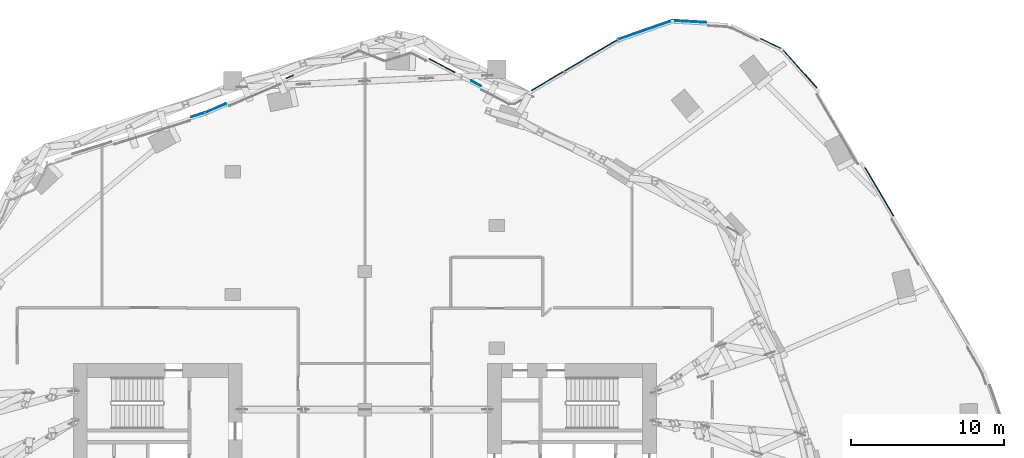
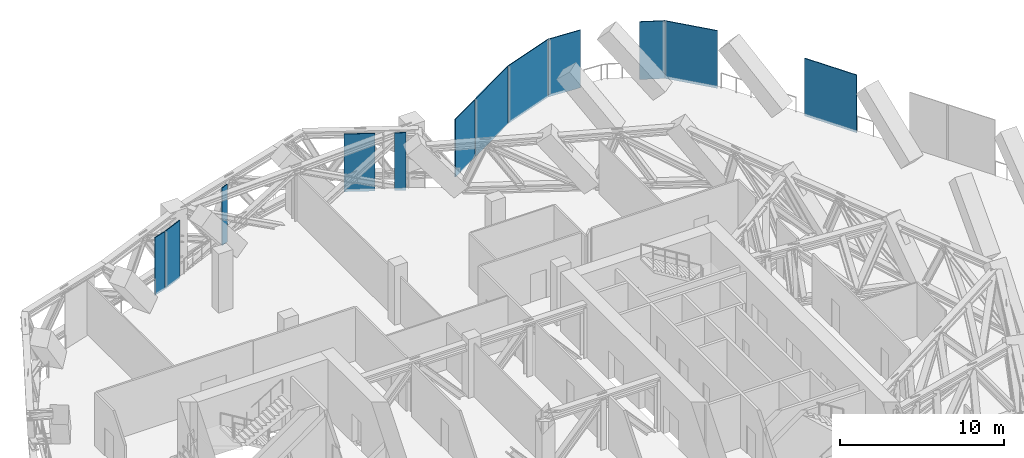
# One storey, part 21 of 31: 12 plates, 9 elements without a shape of their own.
"""IFC4 building model written with IfcOpenShell, lengths in metres."""

from ifc_helpers import new_model, si_unit, direction, frame, origin, origin_2d, place, context, subcontext, project, spatial, rectangle, extrude, material, layer, layer_set, type_object, element, aggregate, save


model = new_model("IFC4")

# Units and contexts
model_context = context("Model", 3, precision=1e-05, world=origin(), true_north=direction((0.0, 1.0)))
body_context = subcontext(model_context, "Body", "Model", "MODEL_VIEW")
ifc_project = project(units=[si_unit("LENGTHUNIT", "METRE"), si_unit("AREAUNIT", "SQUARE_METRE"), si_unit("VOLUMEUNIT", "CUBIC_METRE"), si_unit("PLANEANGLEUNIT", "RADIAN"), si_unit("MASSUNIT", "GRAM", prefix="KILO")], contexts=[model_context])

# Site, building, storey
site_placement = place(None, origin())
site = spatial("IfcSite", under=ifc_project, at=site_placement, CompositionType="ELEMENT")
building_placement = place(site_placement, origin())
building = spatial("IfcBuilding", under=site, at=building_placement, Name="Orlundy Tower", CompositionType="ELEMENT")
storey_placement = place(building_placement, frame((0.0, 0.0, 271.0)))
storey = spatial("IfcBuildingStorey", under=building, at=storey_placement, Name="L72", CompositionType="ELEMENT", Elevation=271.0)

# Curtain wall, plate
ifc_material_1 = material(Name="Aluminium bronze anodised", Category="aluminium")
curtain_wall_type = type_object("IfcCurtainWallType", Name="CW4 wall", PredefinedType="NOTDEFINED", material=ifc_material_1)
curtain_wall_1_placement = place(storey_placement, origin())
curtain_wall_1 = element("IfcCurtainWall", 1, at=curtain_wall_1_placement, inside=storey, type_object=curtain_wall_type, Name="CW4 run 011", PredefinedType="NOTDEFINED")
ifc_material_2 = material(Name="Louvre aluminium bronze anodised", Category="aluminium")
ifc_layer = layer(ifc_material_2, 0.06005859375)
ifc_layer_set = layer_set([ifc_layer], Name="CW4 louvre panel 60")
plate_type = type_object("IfcPlateType", Name="CW4 louvre panel 60", PredefinedType="CURTAIN_PANEL", material=ifc_layer_set)
plate_1_placement = place(storey_placement, frame((-10.877685546875, 28.21044921875, -0.2998046875), z_axis=(0.0, 0.0, 1.0), x_axis=(0.954571042126, 0.297983431644, 0.0)))
plate_1 = element("IfcPlate", 2, at=plate_1_placement, type_object=plate_type, Name="CW4 louvre", PredefinedType="CURTAIN_PANEL", context=body_context, shape_type="SweptSolid", body=[
    extrude(rectangle(XDim=0.90185546875, YDim=0.06005859375, at=origin_2d()), origin(), (0.0, 0.0, 1.0), 4.300048828125),
])
aggregate(curtain_wall_1, [plate_1])

# Curtain wall, plates
curtain_wall_2_placement = place(storey_placement, origin())
curtain_wall_2 = element("IfcCurtainWall", 3, at=curtain_wall_2_placement, inside=storey, type_object=curtain_wall_type, Name="CW4 run 012", PredefinedType="NOTDEFINED")
plate_2_placement = place(storey_placement, frame((-9.7177734375, 28.6513671875, -0.2998046875), z_axis=(0.0, 0.0, 1.0), x_axis=(0.920519070093, 0.390697634488, 0.0)))
plate_2 = element("IfcPlate", 4, at=plate_2_placement, type_object=plate_type, Name="CW4 louvre", PredefinedType="CURTAIN_PANEL", context=body_context, shape_type="SweptSolid", body=[
    extrude(rectangle(XDim=1.462890625, YDim=0.06005859375, at=origin_2d()), origin(), (0.0, 0.0, 1.0), 4.300048828125),
])
plate_3_placement = place(storey_placement, frame((-4.8798828125, 30.70458984375, -0.2998046875), z_axis=(0.0, 0.0, 1.0), x_axis=(0.920519070093, 0.390697634488, 0.0)))
plate_3 = element("IfcPlate", 5, at=plate_3_placement, type_object=plate_type, Name="CW4 louvre", PredefinedType="CURTAIN_PANEL", context=body_context, shape_type="SweptSolid", body=[
    extrude(rectangle(XDim=0.536865234375, YDim=0.06005859375, at=origin_2d()), origin(), (0.0, 0.0, 1.0), 4.300048828125),
])
aggregate(curtain_wall_2, [plate_2, plate_3])

curtain_wall_3_placement = place(storey_placement, origin())
curtain_wall_3 = element("IfcCurtainWall", 6, at=curtain_wall_3_placement, inside=storey, type_object=curtain_wall_type, Name="CW4 run 015", PredefinedType="NOTDEFINED")
plate_4_placement = place(storey_placement, frame((5.04443359375, 31.42041015625, -0.2998046875), z_axis=(0.0, 0.0, 1.0), x_axis=(0.885688159533, -0.464280609182, 0.0)))
plate_4 = element("IfcPlate", 7, at=plate_4_placement, type_object=plate_type, Name="CW4 louvre", PredefinedType="CURTAIN_PANEL", context=body_context, shape_type="SweptSolid", body=[
    extrude(rectangle(XDim=1.89794921875, YDim=0.06005859375, at=origin_2d()), origin(), (0.0, 0.0, 1.0), 4.300048828125),
])
plate_5_placement = place(storey_placement, frame((7.2529296875, 30.2626953125, -0.2998046875), z_axis=(0.0, 0.0, 1.0), x_axis=(0.885688159533, -0.464280609182, 0.0)))
plate_5 = element("IfcPlate", 8, at=plate_5_placement, type_object=plate_type, Name="CW4 louvre", PredefinedType="CURTAIN_PANEL", context=body_context, shape_type="SweptSolid", body=[
    extrude(rectangle(XDim=0.7177734375, YDim=0.06005859375, at=origin_2d()), origin(), (0.0, 0.0, 1.0), 4.300048828125),
])
aggregate(curtain_wall_3, [plate_4, plate_5])

curtain_wall_4_placement = place(storey_placement, origin())
curtain_wall_4 = element("IfcCurtainWall", 9, at=curtain_wall_4_placement, inside=storey, type_object=curtain_wall_type, Name="CW4 run 016", PredefinedType="NOTDEFINED")
plate_6_placement = place(storey_placement, frame((11.90380859375, 30.421142578125, -0.2998046875), z_axis=(0.0, 0.0, 1.0), x_axis=(0.861677197599, 0.507456803224, 0.0)))
plate_6 = element("IfcPlate", 10, at=plate_6_placement, type_object=plate_type, Name="CW4 louvre", PredefinedType="CURTAIN_PANEL", context=body_context, shape_type="SweptSolid", body=[
    extrude(rectangle(XDim=2.442138671875, YDim=0.06005859375, at=origin_2d()), origin(), (0.0, 0.0, 1.0), 4.300048828125),
])
plate_7_placement = place(storey_placement, frame((14.73486328125, 32.08837890625, -0.2998046875), z_axis=(0.0, 0.0, 1.0), x_axis=(0.861677197599, 0.507456803224, 0.0)))
plate_7 = element("IfcPlate", 11, at=plate_7_placement, type_object=plate_type, Name="CW4 louvre", PredefinedType="CURTAIN_PANEL", context=body_context, shape_type="SweptSolid", body=[
    extrude(rectangle(XDim=4.009033203125, YDim=0.06005859375, at=origin_2d()), origin(), (0.0, 0.0, 1.0), 4.300048828125),
])
aggregate(curtain_wall_4, [plate_6, plate_7])

# Curtain wall, plate
curtain_wall_5_placement = place(storey_placement, origin())
curtain_wall_5 = element("IfcCurtainWall", 12, at=curtain_wall_5_placement, inside=storey, type_object=curtain_wall_type, Name="CW4 run 017", PredefinedType="NOTDEFINED")
plate_8_placement = place(storey_placement, frame((18.275634765625, 33.745361328125, -0.2998046875), z_axis=(0.0, 0.0, 1.0), x_axis=(0.944081083956, 0.32971337085, 0.0)))
plate_8 = element("IfcPlate", 13, at=plate_8_placement, type_object=plate_type, Name="CW4 louvre", PredefinedType="CURTAIN_PANEL", context=body_context, shape_type="SweptSolid", body=[
    extrude(rectangle(XDim=3.7265625, YDim=0.06005859375, at=origin_2d()), origin(), (0.0, 0.0, 1.0), 4.300048828125),
])
aggregate(curtain_wall_5, [plate_8])

curtain_wall_6_placement = place(storey_placement, origin())
curtain_wall_6 = element("IfcCurtainWall", 14, at=curtain_wall_6_placement, inside=storey, type_object=curtain_wall_type, Name="CW4 run 018", PredefinedType="NOTDEFINED")
plate_9_placement = place(storey_placement, frame((21.14013671875, 34.296875, -0.2998046875), z_axis=(0.0, 0.0, 1.0), x_axis=(0.998394082315, -0.056650299193, 0.0)))
plate_9 = element("IfcPlate", 15, at=plate_9_placement, type_object=plate_type, Name="CW4 louvre", PredefinedType="CURTAIN_PANEL", context=body_context, shape_type="SweptSolid", body=[
    extrude(rectangle(XDim=2.21435546875, YDim=0.06005859375, at=origin_2d()), origin(), (0.0, 0.0, 1.0), 4.300048828125),
])
aggregate(curtain_wall_6, [plate_9])

curtain_wall_7_placement = place(storey_placement, origin())
curtain_wall_7 = element("IfcCurtainWall", 16, at=curtain_wall_7_placement, inside=storey, type_object=curtain_wall_type, Name="CW4 run 019", PredefinedType="NOTDEFINED")
plate_10_placement = place(storey_placement, frame((26.503662109375, 32.84375, -0.2998046875), z_axis=(0.0, 0.0, 1.0), x_axis=(0.900755489188, -0.434326546158, 0.0)))
plate_10 = element("IfcPlate", 17, at=plate_10_placement, type_object=plate_type, Name="CW4 louvre", PredefinedType="CURTAIN_PANEL", context=body_context, shape_type="SweptSolid", body=[
    extrude(rectangle(XDim=1.5537109375, YDim=0.06005859375, at=origin_2d()), origin(), (0.0, 0.0, 1.0), 4.300048828125),
])
aggregate(curtain_wall_7, [plate_10])

curtain_wall_8_placement = place(storey_placement, origin())
curtain_wall_8 = element("IfcCurtainWall", 18, at=curtain_wall_8_placement, inside=storey, type_object=curtain_wall_type, Name="CW4 run 020", PredefinedType="NOTDEFINED")
plate_11_placement = place(storey_placement, frame((28.329833984375, 31.243896484375, -0.2998046875), z_axis=(0.0, 0.0, 1.0), x_axis=(0.665769138425, -0.746157794518, 0.0)))
plate_11 = element("IfcPlate", 19, at=plate_11_placement, type_object=plate_type, Name="CW4 louvre", PredefinedType="CURTAIN_PANEL", context=body_context, shape_type="SweptSolid", body=[
    extrude(rectangle(XDim=3.3837890625, YDim=0.06005859375, at=origin_2d()), origin(), (0.0, 0.0, 1.0), 4.300048828125),
])
aggregate(curtain_wall_8, [plate_11])

curtain_wall_9_placement = place(storey_placement, origin())
curtain_wall_9 = element("IfcCurtainWall", 20, at=curtain_wall_9_placement, inside=storey, type_object=curtain_wall_type, Name="CW4 run 021", PredefinedType="NOTDEFINED")
plate_12_placement = place(storey_placement, frame((33.53125, 23.206787109375, -0.2998046875), z_axis=(0.0, 0.0, 1.0), x_axis=(0.507531980737, -0.861632919827, 0.0)))
plate_12 = element("IfcPlate", 21, at=plate_12_placement, type_object=plate_type, Name="CW4 louvre", PredefinedType="CURTAIN_PANEL", context=body_context, shape_type="SweptSolid", body=[
    extrude(rectangle(XDim=3.6640625, YDim=0.06005859375, at=origin_2d()), origin(), (0.0, 0.0, 1.0), 4.300048828125),
])
aggregate(curtain_wall_9, [plate_12])

save(model, "model.ifc")
